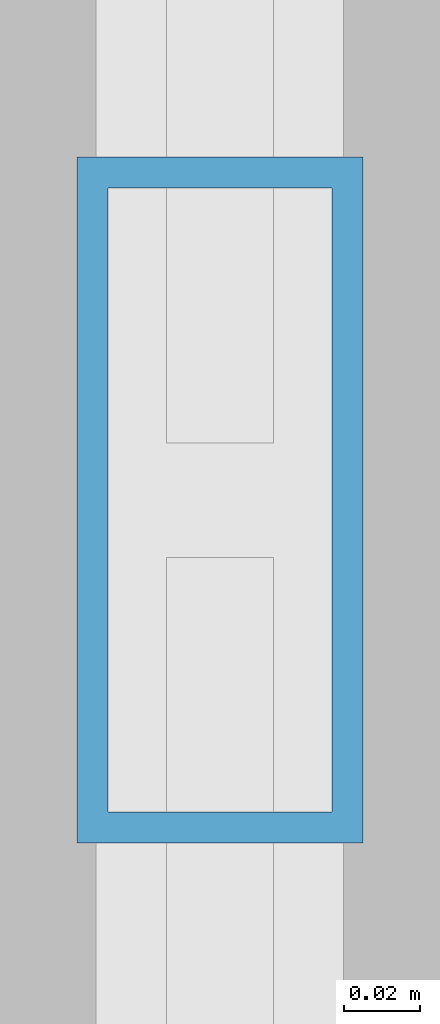
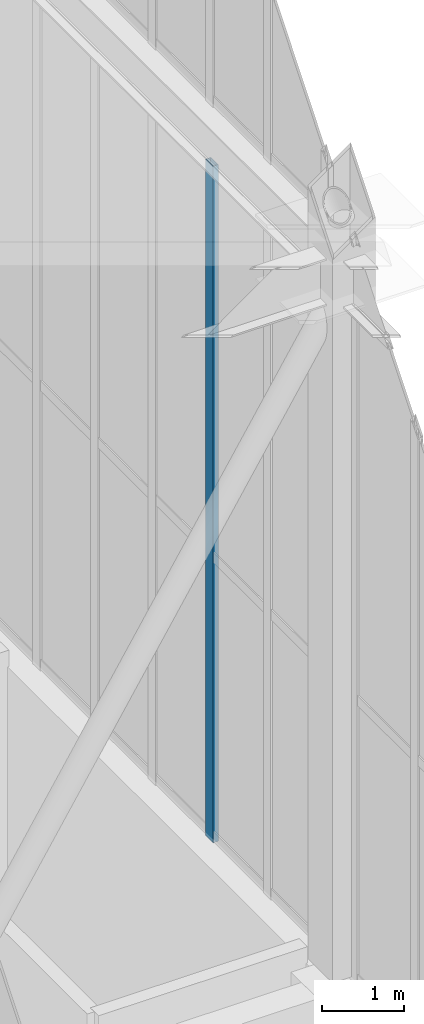
# One storey, part 96 of 135: 1 member, 1 element without a shape of its own.
"""IFC4 building model written with IfcOpenShell, lengths in metres."""

from ifc_helpers import new_model, si_unit, direction, frame, origin, origin_2d, place, context, subcontext, project, spatial, hollow_rectangle, extrude, source, transform, mapped, material, layer, layer_set, material_profile, profile_set, type_object, element, aggregate, save


model = new_model("IFC4")

# Units and contexts
model_context = context("Model", 3, precision=1e-05, world=origin(), true_north=direction((0.0, 1.0)))
body_context = subcontext(model_context, "Body", "Model", "MODEL_VIEW")
ifc_project = project(units=[si_unit("LENGTHUNIT", "METRE"), si_unit("AREAUNIT", "SQUARE_METRE"), si_unit("VOLUMEUNIT", "CUBIC_METRE"), si_unit("PLANEANGLEUNIT", "RADIAN"), si_unit("MASSUNIT", "GRAM", prefix="KILO")], contexts=[model_context])

# Site, building, storey
site_placement = place(None, origin())
site = spatial("IfcSite", under=ifc_project, at=site_placement, CompositionType="ELEMENT")
building_placement = place(site_placement, origin())
building = spatial("IfcBuilding", under=site, at=building_placement, Name="Giltprow Tower", CompositionType="ELEMENT")
storey_placement = place(building_placement, frame((0.0, 0.0, 352.699951171875)))
storey = spatial("IfcBuildingStorey", under=building, at=storey_placement, Name="L92", CompositionType="ELEMENT", Elevation=352.699951171875)

# Curtain wall, member
ifc_material = material(Name="Anodized bronze", Category="metal")
ifc_layer = layer(ifc_material, 0.179931640625, Name="Anodized bronze")
ifc_layer_set = layer_set([ifc_layer], Name="Anodized bronze")
curtain_wall_type = type_object("IfcCurtainWallType", Name="CW-CROWN-LANTERN", PredefinedType="NOTDEFINED", material=ifc_layer_set)
curtain_wall_placement = place(storey_placement, origin())
curtain_wall = element("IfcCurtainWall", 1, at=curtain_wall_placement, inside=storey, type_object=curtain_wall_type, Name="Crown East Lower Lantern Glazing 3", PredefinedType="NOTDEFINED")
ifc_material_profile = material_profile(ifc_material, hollow_rectangle(XDim=0.074951171875, YDim=0.179931640625, WallThickness=0.008056640625, at=origin_2d()), Name="RHS 180x75x8")
ifc_profile_set = profile_set([ifc_material_profile], Name="Anodized bronze")
member_type = type_object("IfcMemberType", Name="CW-MULLION-180x75", PredefinedType="MULLION", material=ifc_profile_set)
shared_shape = source(origin(), body_context, "Body", "SweptSolid", [
    extrude(hollow_rectangle(XDim=0.074951171875, YDim=0.179931640625, WallThickness=0.008056640625, at=origin_2d()), origin(), (0.0, 0.0, 1.0), 10.030029296875),
])
member_placement = place(storey_placement, frame((50.550048828125, 40.60009765625, 6.35009765625), z_axis=(0.0, 0.0, 1.0), x_axis=(1.0, 0.0, 0.0)))
member = element("IfcMember", 2, at=member_placement, type_object=member_type, Name="Crown East Lower Lantern Glazing 3 Mullion 3", PredefinedType="MULLION", context=body_context, shape_type="MappedRepresentation", body=[
    mapped(shared_shape, transform((0.0, 0.0, 0.0), x_axis=(1.0, 0.0, 0.0), y_axis=(0.0, 1.0, 0.0), z_axis=(0.0, 0.0, 1.0), scale=1.0)),
])
aggregate(curtain_wall, [member])

save(model, "model.ifc")
